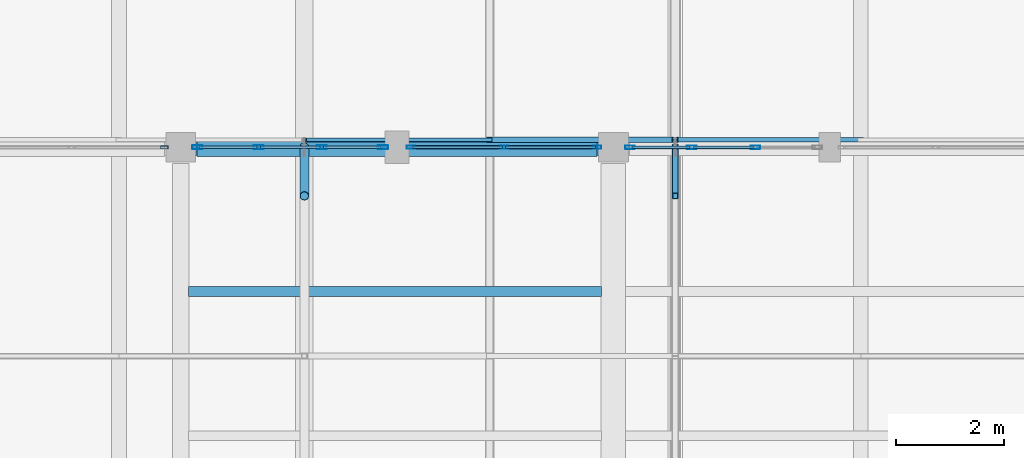
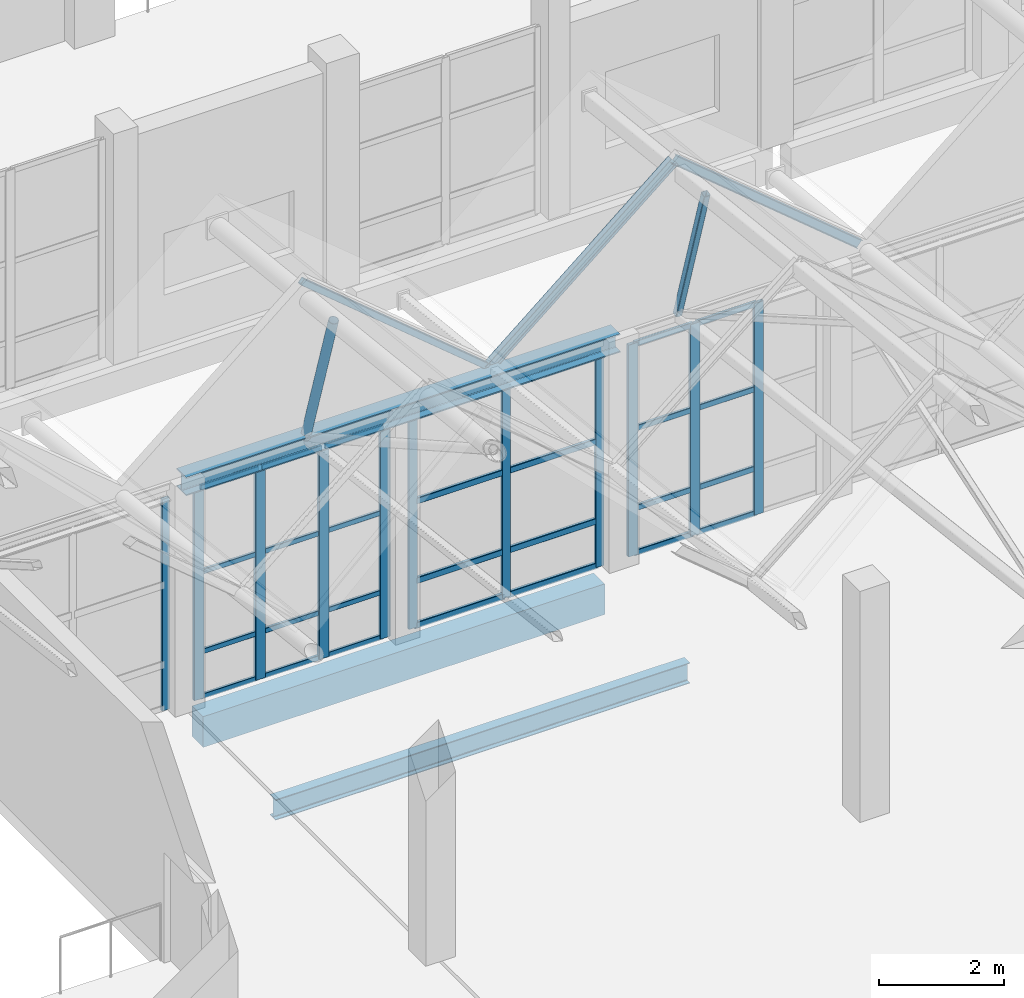
# One storey, part 78 of 183: 44 members, 3 beams, 4 elements without a shape of their own.
"""IFC4 building model written with IfcOpenShell, lengths in metres."""

from ifc_helpers import new_model, si_unit, direction, frame, origin, origin_2d, place, context, subcontext, project, spatial, rectangle, hollow_rectangle, hollow_circle, i_section, extrude, material, material_profile, profile_set, type_object, element, aggregate, save


model = new_model("IFC4")

# Units and contexts
model_context = context("Model", 3, precision=1e-05, world=origin(), true_north=direction((0.0, 1.0)))
body_context = subcontext(model_context, "Body", "Model", "MODEL_VIEW")
ifc_project = project(units=[si_unit("LENGTHUNIT", "METRE"), si_unit("AREAUNIT", "SQUARE_METRE"), si_unit("VOLUMEUNIT", "CUBIC_METRE"), si_unit("PLANEANGLEUNIT", "RADIAN"), si_unit("MASSUNIT", "GRAM", prefix="KILO")], contexts=[model_context])

# Site, building, storey
site_placement = place(None, origin())
site = spatial("IfcSite", under=ifc_project, at=site_placement, CompositionType="ELEMENT")
building_placement = place(site_placement, origin())
building = spatial("IfcBuilding", under=site, at=building_placement, Name="Luwemba Playhouse", CompositionType="ELEMENT")
storey_placement = place(building_placement, frame((0.0, 0.0, 4.800048828125)))
storey = spatial("IfcBuildingStorey", under=building, at=storey_placement, Name="L01", CompositionType="ELEMENT", Elevation=4.800048828125)

# Beams
ifc_material_1 = material(Name="Steel S355", Category="steel")
ifc_material_profile_1 = material_profile(ifc_material_1, i_section(OverallWidth=0.300048828125, OverallDepth=0.360107421875, WebThickness=0.012451171875, FlangeThickness=0.0224609375, FilletRadius=0.027099609375, at=origin_2d()))
ifc_profile_set_1 = profile_set([ifc_material_profile_1], Name="Steel S355")
beam_type_1 = type_object("IfcBeamType", Name="BM-SB09", PredefinedType="BEAM", material=ifc_profile_set_1)
beam_1_placement = place(storey_placement, frame((132.0, 27.0, 4.320068359375), z_axis=(1.0, 0.0, 0.0), x_axis=(0.0, 1.0, 0.0)))
element("IfcBeam", 1, at=beam_1_placement, inside=storey, type_object=beam_type_1, Name="RF-V5E eave ring beam 0298", PredefinedType="BEAM", context=body_context, shape_type="SweptSolid", body=[
    extrude(i_section(OverallWidth=0.300048828125, OverallDepth=0.360107421875, WebThickness=0.012451171875, FlangeThickness=0.0224609375, FilletRadius=0.027099609375, at=origin_2d()), origin(), (0.0, 0.0, 1.0), 8.0),
])
ifc_material_profile_2 = material_profile(ifc_material_1, i_section(OverallWidth=0.179931640625, OverallDepth=0.39990234375, WebThickness=0.008544921875, FlangeThickness=0.013427734375, FilletRadius=0.02099609375, at=origin_2d()))
ifc_profile_set_2 = profile_set([ifc_material_profile_2], Name="Steel S355")
beam_type_2 = type_object("IfcBeamType", Name="BM-SJ08", PredefinedType="JOIST", material=ifc_profile_set_2)
beam_2_placement = place(storey_placement, frame((132.14599609375, 24.333251953125, -0.449951171875), z_axis=(1.0, 0.0, 0.0), x_axis=(0.0, 1.0, 0.0)))
element("IfcBeam", 2, at=beam_2_placement, inside=storey, type_object=beam_type_2, Name="L01 composite floor joist 0315", PredefinedType="JOIST", context=body_context, shape_type="SweptSolid", body=[
    extrude(i_section(OverallWidth=0.179931640625, OverallDepth=0.39990234375, WebThickness=0.008544921875, FlangeThickness=0.013427734375, FilletRadius=0.02099609375, at=origin_2d()), origin(), (0.0, 0.0, 1.0), 7.633056640625),
])
ifc_material_2 = material(Name="Concrete C40/50", Category="concrete")
ifc_material_profile_3 = material_profile(ifc_material_2, rectangle(XDim=0.35009765625, YDim=0.60009765625, at=origin_2d()))
ifc_profile_set_3 = profile_set([ifc_material_profile_3], Name="Concrete C40/50")
beam_type_3 = type_object("IfcBeamType", Name="BM-SP3", PredefinedType="SPANDREL", material=ifc_profile_set_3)
beam_3_placement = place(storey_placement, frame((132.300048828125, 27.0, -0.550048828125), z_axis=(1.0, 0.0, 0.0), x_axis=(0.0, 1.0, 0.0)))
element("IfcBeam", 3, at=beam_3_placement, inside=storey, type_object=beam_type_3, Name="L01 grid girder 0538", PredefinedType="SPANDREL", context=body_context, shape_type="SweptSolid", body=[
    extrude(rectangle(XDim=0.35009765625, YDim=0.60009765625, at=origin_2d()), origin(), (0.0, 0.0, 1.0), 7.39990234375),
])

# Curtain wall, members
ifc_material_3 = material(Name="Solar-control double glazing", Category="glass")
curtain_wall_type_1 = type_object("IfcCurtainWallType", Name="CW-CW120", PredefinedType="USERDEFINED", material=ifc_material_3)
curtain_wall_1_placement = place(storey_placement, origin())
curtain_wall_1 = element("IfcCurtainWall", 4, at=curtain_wall_1_placement, inside=storey, type_object=curtain_wall_type_1, Name="L01 V5E unitised curtain wall 158", ObjectType="UNITISED GLAZING", PredefinedType="USERDEFINED")
ifc_material_4 = material(Name="Aluminium 6063-T6", Category="aluminium")
ifc_material_profile_4 = material_profile(ifc_material_4, hollow_rectangle(XDim=0.06005859375, YDim=0.159912109375, WallThickness=0.00390625, InnerFilletRadius=0.006103515625, OuterFilletRadius=0.010009765625, at=origin_2d()))
ifc_profile_set_4 = profile_set([ifc_material_profile_4], Name="Aluminium 6063-T6")
member_type_1 = type_object("IfcMemberType", Name="CWM-M1", PredefinedType="MULLION", material=ifc_profile_set_4)
member_1_placement = place(storey_placement, frame((136.2548828125, 27.0, 0.0), z_axis=(0.0, 0.0, 1.0), x_axis=(0.0, 1.0, 0.0)))
member_1 = element("IfcMember", 5, at=member_1_placement, type_object=member_type_1, Name="CW120 mullion 1", PredefinedType="MULLION", context=body_context, shape_type="SweptSolid", body=[
    extrude(hollow_rectangle(XDim=0.06005859375, YDim=0.159912109375, WallThickness=0.00390625, InnerFilletRadius=0.006103515625, OuterFilletRadius=0.010009765625, at=origin_2d()), origin(), (0.0, 0.0, 1.0), 4.125),
])
member_2_placement = place(storey_placement, frame((137.97509765625, 27.0, 0.0), z_axis=(0.0, 0.0, 1.0), x_axis=(0.0, 1.0, 0.0)))
member_2 = element("IfcMember", 6, at=member_2_placement, type_object=member_type_1, Name="CW120 mullion 2", PredefinedType="MULLION", context=body_context, shape_type="SweptSolid", body=[
    extrude(hollow_rectangle(XDim=0.06005859375, YDim=0.159912109375, WallThickness=0.00390625, InnerFilletRadius=0.006103515625, OuterFilletRadius=0.010009765625, at=origin_2d()), origin(), (0.0, 0.0, 1.0), 4.125),
])
member_3_placement = place(storey_placement, frame((139.695068359375, 27.0, 0.0), z_axis=(0.0, 0.0, 1.0), x_axis=(0.0, 1.0, 0.0)))
member_3 = element("IfcMember", 7, at=member_3_placement, type_object=member_type_1, Name="CW120 mullion 3", PredefinedType="MULLION", context=body_context, shape_type="SweptSolid", body=[
    extrude(hollow_rectangle(XDim=0.06005859375, YDim=0.159912109375, WallThickness=0.00390625, InnerFilletRadius=0.006103515625, OuterFilletRadius=0.010009765625, at=origin_2d()), origin(), (0.0, 0.0, 1.0), 4.125),
])

curtain_wall_type_2 = type_object("IfcCurtainWallType", Name="CW-CW121", PredefinedType="USERDEFINED", material=ifc_material_3)
curtain_wall_2_placement = place(storey_placement, origin())
curtain_wall_2 = element("IfcCurtainWall", 8, at=curtain_wall_2_placement, inside=storey, type_object=curtain_wall_type_2, Name="L01 V5E unitised curtain wall 159", ObjectType="UNITISED GLAZING", PredefinedType="USERDEFINED")
ifc_material_profile_5 = material_profile(ifc_material_4, hollow_rectangle(XDim=0.06494140625, YDim=0.179931640625, WallThickness=0.00439453125, InnerFilletRadius=0.0068359375, OuterFilletRadius=0.01123046875, at=origin_2d()))
ifc_profile_set_5 = profile_set([ifc_material_profile_5], Name="Aluminium 6063-T6")
member_type_2 = type_object("IfcMemberType", Name="CWM-M2", PredefinedType="MULLION", material=ifc_profile_set_5)
member_4_placement = place(storey_placement, frame((140.3076171875, 27.0, 0.0), z_axis=(0.0, 0.0, 1.0), x_axis=(0.0, 1.0, 0.0)))
member_4 = element("IfcMember", 9, at=member_4_placement, type_object=member_type_2, Name="CW121 mullion 1", PredefinedType="MULLION", context=body_context, shape_type="SweptSolid", body=[
    extrude(hollow_rectangle(XDim=0.06494140625, YDim=0.179931640625, WallThickness=0.00439453125, InnerFilletRadius=0.0068359375, OuterFilletRadius=0.01123046875, at=origin_2d()), origin(), (0.0, 0.0, 1.0), 4.125),
])
member_5_placement = place(storey_placement, frame((141.449951171875, 27.0, 0.0), z_axis=(0.0, 0.0, 1.0), x_axis=(0.0, 1.0, 0.0)))
member_5 = element("IfcMember", 10, at=member_5_placement, type_object=member_type_2, Name="CW121 mullion 2", PredefinedType="MULLION", context=body_context, shape_type="SweptSolid", body=[
    extrude(hollow_rectangle(XDim=0.06494140625, YDim=0.179931640625, WallThickness=0.00439453125, InnerFilletRadius=0.0068359375, OuterFilletRadius=0.01123046875, at=origin_2d()), origin(), (0.0, 0.0, 1.0), 4.125),
])
member_6_placement = place(storey_placement, frame((142.625, 27.0, 0.0), z_axis=(0.0, 0.0, 1.0), x_axis=(0.0, 1.0, 0.0)))
member_6 = element("IfcMember", 11, at=member_6_placement, type_object=member_type_2, Name="CW121 mullion 3", PredefinedType="MULLION", context=body_context, shape_type="SweptSolid", body=[
    extrude(hollow_rectangle(XDim=0.06494140625, YDim=0.179931640625, WallThickness=0.00439453125, InnerFilletRadius=0.0068359375, OuterFilletRadius=0.01123046875, at=origin_2d()), origin(), (0.0, 0.0, 1.0), 4.125),
])

# Curtain wall, member
curtain_wall_type_3 = type_object("IfcCurtainWallType", Name="CW-CW118", PredefinedType="USERDEFINED", material=ifc_material_3)
curtain_wall_3_placement = place(storey_placement, origin())
curtain_wall_3 = element("IfcCurtainWall", 12, at=curtain_wall_3_placement, inside=storey, type_object=curtain_wall_type_3, Name="L01 V5E unitised curtain wall 156", ObjectType="UNITISED GLAZING", PredefinedType="USERDEFINED")
ifc_material_profile_6 = material_profile(ifc_material_4, hollow_rectangle(XDim=0.054931640625, YDim=0.139892578125, WallThickness=0.00390625, InnerFilletRadius=0.006103515625, OuterFilletRadius=0.010009765625, at=origin_2d()))
ifc_profile_set_6 = profile_set([ifc_material_profile_6], Name="Aluminium 6063-T6")
member_type_3 = type_object("IfcMemberType", Name="CWM-M3", PredefinedType="MULLION", material=ifc_profile_set_6)
member_7_placement = place(storey_placement, frame((131.697509765625, 27.0, 0.0), z_axis=(0.0, 0.0, 1.0), x_axis=(0.0, 1.0, 0.0)))
member_7 = element("IfcMember", 13, at=member_7_placement, type_object=member_type_3, Name="CW118 mullion 3", PredefinedType="MULLION", context=body_context, shape_type="SweptSolid", body=[
    extrude(hollow_rectangle(XDim=0.054931640625, YDim=0.139892578125, WallThickness=0.00390625, InnerFilletRadius=0.006103515625, OuterFilletRadius=0.010009765625, at=origin_2d()), origin(), (0.0, 0.0, 1.0), 4.125),
])
aggregate(curtain_wall_3, [member_7])

# Curtain wall, members
curtain_wall_type_4 = type_object("IfcCurtainWallType", Name="CW-CW119", PredefinedType="USERDEFINED", material=ifc_material_3)
curtain_wall_4_placement = place(storey_placement, origin())
curtain_wall_4 = element("IfcCurtainWall", 14, at=curtain_wall_4_placement, inside=storey, type_object=curtain_wall_type_4, Name="L01 V5E unitised curtain wall 157", ObjectType="UNITISED GLAZING", PredefinedType="USERDEFINED")
ifc_material_profile_7 = material_profile(ifc_material_4, hollow_rectangle(XDim=0.070068359375, YDim=0.18994140625, WallThickness=0.0048828125, InnerFilletRadius=0.007568359375, OuterFilletRadius=0.012451171875, at=origin_2d()))
ifc_profile_set_7 = profile_set([ifc_material_profile_7], Name="Aluminium 6063-T6")
member_type_4 = type_object("IfcMemberType", Name="CWM-M4", PredefinedType="MULLION", material=ifc_profile_set_7)
member_8_placement = place(storey_placement, frame((132.31005859375, 27.0, 0.0), z_axis=(0.0, 0.0, 1.0), x_axis=(0.0, 1.0, 0.0)))
member_8 = element("IfcMember", 15, at=member_8_placement, type_object=member_type_4, Name="CW119 mullion 1", PredefinedType="MULLION", context=body_context, shape_type="SweptSolid", body=[
    extrude(hollow_rectangle(XDim=0.070068359375, YDim=0.18994140625, WallThickness=0.0048828125, InnerFilletRadius=0.007568359375, OuterFilletRadius=0.012451171875, at=origin_2d()), origin(), (0.0, 0.0, 1.0), 4.125),
])
member_9_placement = place(storey_placement, frame((133.441650390625, 27.0, 0.0), z_axis=(0.0, 0.0, 1.0), x_axis=(0.0, 1.0, 0.0)))
member_9 = element("IfcMember", 16, at=member_9_placement, type_object=member_type_4, Name="CW119 mullion 2", PredefinedType="MULLION", context=body_context, shape_type="SweptSolid", body=[
    extrude(hollow_rectangle(XDim=0.070068359375, YDim=0.18994140625, WallThickness=0.0048828125, InnerFilletRadius=0.007568359375, OuterFilletRadius=0.012451171875, at=origin_2d()), origin(), (0.0, 0.0, 1.0), 4.125),
])
member_10_placement = place(storey_placement, frame((134.6083984375, 27.0, 0.0), z_axis=(0.0, 0.0, 1.0), x_axis=(0.0, 1.0, 0.0)))
member_10 = element("IfcMember", 17, at=member_10_placement, type_object=member_type_4, Name="CW119 mullion 3", PredefinedType="MULLION", context=body_context, shape_type="SweptSolid", body=[
    extrude(hollow_rectangle(XDim=0.070068359375, YDim=0.18994140625, WallThickness=0.0048828125, InnerFilletRadius=0.007568359375, OuterFilletRadius=0.012451171875, at=origin_2d()), origin(), (0.0, 0.0, 1.0), 4.125),
])
member_11_placement = place(storey_placement, frame((135.739990234375, 27.0, 0.0), z_axis=(0.0, 0.0, 1.0), x_axis=(0.0, 1.0, 0.0)))
member_11 = element("IfcMember", 18, at=member_11_placement, type_object=member_type_4, Name="CW119 mullion 4", PredefinedType="MULLION", context=body_context, shape_type="SweptSolid", body=[
    extrude(hollow_rectangle(XDim=0.070068359375, YDim=0.18994140625, WallThickness=0.0048828125, InnerFilletRadius=0.007568359375, OuterFilletRadius=0.012451171875, at=origin_2d()), origin(), (0.0, 0.0, 1.0), 4.125),
])

# Member
ifc_material_profile_8 = material_profile(ifc_material_4, hollow_rectangle(XDim=0.06005859375, YDim=0.1201171875, WallThickness=0.00390625, InnerFilletRadius=0.006103515625, OuterFilletRadius=0.010009765625, at=origin_2d()))
ifc_profile_set_8 = profile_set([ifc_material_profile_8], Name="Aluminium 6063-T6")
member_type_5 = type_object("IfcMemberType", Name="CWT-T1", PredefinedType="USERDEFINED", material=ifc_profile_set_8)
member_12_placement = place(storey_placement, frame((136.284912109375, 27.0, 0.030029296875), z_axis=(1.0, 0.0, 0.0), x_axis=(0.0, 1.0, 0.0)))
member_12 = element("IfcMember", 19, at=member_12_placement, type_object=member_type_5, Name="CW120 transom 1.1", ObjectType="TRANSOM", PredefinedType="USERDEFINED", context=body_context, shape_type="SweptSolid", body=[
    extrude(hollow_rectangle(XDim=0.06005859375, YDim=0.1201171875, WallThickness=0.00390625, InnerFilletRadius=0.006103515625, OuterFilletRadius=0.010009765625, at=origin_2d()), origin(), (0.0, 0.0, 1.0), 1.66015625),
])

member_13_placement = place(storey_placement, frame((136.284912109375, 27.0, 0.89990234375), z_axis=(1.0, 0.0, 0.0), x_axis=(0.0, 1.0, 0.0)))
member_13 = element("IfcMember", 20, at=member_13_placement, type_object=member_type_5, Name="CW120 transom 1.2", ObjectType="TRANSOM", PredefinedType="USERDEFINED", context=body_context, shape_type="SweptSolid", body=[
    extrude(hollow_rectangle(XDim=0.06005859375, YDim=0.1201171875, WallThickness=0.00390625, InnerFilletRadius=0.006103515625, OuterFilletRadius=0.010009765625, at=origin_2d()), origin(), (0.0, 0.0, 1.0), 1.66015625),
])

member_14_placement = place(storey_placement, frame((136.284912109375, 27.0, 2.449951171875), z_axis=(1.0, 0.0, 0.0), x_axis=(0.0, 1.0, 0.0)))
member_14 = element("IfcMember", 21, at=member_14_placement, type_object=member_type_5, Name="CW120 transom 1.3", ObjectType="TRANSOM", PredefinedType="USERDEFINED", context=body_context, shape_type="SweptSolid", body=[
    extrude(hollow_rectangle(XDim=0.06005859375, YDim=0.1201171875, WallThickness=0.00390625, InnerFilletRadius=0.006103515625, OuterFilletRadius=0.010009765625, at=origin_2d()), origin(), (0.0, 0.0, 1.0), 1.66015625),
])

member_15_placement = place(storey_placement, frame((136.284912109375, 27.0, 4.094970703125), z_axis=(1.0, 0.0, 0.0), x_axis=(0.0, 1.0, 0.0)))
member_15 = element("IfcMember", 22, at=member_15_placement, type_object=member_type_5, Name="CW120 transom 1.4", ObjectType="TRANSOM", PredefinedType="USERDEFINED", context=body_context, shape_type="SweptSolid", body=[
    extrude(hollow_rectangle(XDim=0.06005859375, YDim=0.1201171875, WallThickness=0.00390625, InnerFilletRadius=0.006103515625, OuterFilletRadius=0.010009765625, at=origin_2d()), origin(), (0.0, 0.0, 1.0), 1.66015625),
])

member_16_placement = place(storey_placement, frame((138.0048828125, 27.0, 0.030029296875), z_axis=(1.0, 0.0, 0.0), x_axis=(0.0, 1.0, 0.0)))
member_16 = element("IfcMember", 23, at=member_16_placement, type_object=member_type_5, Name="CW120 transom 2.1", ObjectType="TRANSOM", PredefinedType="USERDEFINED", context=body_context, shape_type="SweptSolid", body=[
    extrude(hollow_rectangle(XDim=0.06005859375, YDim=0.1201171875, WallThickness=0.00390625, InnerFilletRadius=0.006103515625, OuterFilletRadius=0.010009765625, at=origin_2d()), origin(), (0.0, 0.0, 1.0), 1.66015625),
])

member_17_placement = place(storey_placement, frame((138.0048828125, 27.0, 0.89990234375), z_axis=(1.0, 0.0, 0.0), x_axis=(0.0, 1.0, 0.0)))
member_17 = element("IfcMember", 24, at=member_17_placement, type_object=member_type_5, Name="CW120 transom 2.2", ObjectType="TRANSOM", PredefinedType="USERDEFINED", context=body_context, shape_type="SweptSolid", body=[
    extrude(hollow_rectangle(XDim=0.06005859375, YDim=0.1201171875, WallThickness=0.00390625, InnerFilletRadius=0.006103515625, OuterFilletRadius=0.010009765625, at=origin_2d()), origin(), (0.0, 0.0, 1.0), 1.66015625),
])

member_18_placement = place(storey_placement, frame((138.0048828125, 27.0, 2.449951171875), z_axis=(1.0, 0.0, 0.0), x_axis=(0.0, 1.0, 0.0)))
member_18 = element("IfcMember", 25, at=member_18_placement, type_object=member_type_5, Name="CW120 transom 2.3", ObjectType="TRANSOM", PredefinedType="USERDEFINED", context=body_context, shape_type="SweptSolid", body=[
    extrude(hollow_rectangle(XDim=0.06005859375, YDim=0.1201171875, WallThickness=0.00390625, InnerFilletRadius=0.006103515625, OuterFilletRadius=0.010009765625, at=origin_2d()), origin(), (0.0, 0.0, 1.0), 1.66015625),
])

member_19_placement = place(storey_placement, frame((138.0048828125, 27.0, 4.094970703125), z_axis=(1.0, 0.0, 0.0), x_axis=(0.0, 1.0, 0.0)))
member_19 = element("IfcMember", 26, at=member_19_placement, type_object=member_type_5, Name="CW120 transom 2.4", ObjectType="TRANSOM", PredefinedType="USERDEFINED", context=body_context, shape_type="SweptSolid", body=[
    extrude(hollow_rectangle(XDim=0.06005859375, YDim=0.1201171875, WallThickness=0.00390625, InnerFilletRadius=0.006103515625, OuterFilletRadius=0.010009765625, at=origin_2d()), origin(), (0.0, 0.0, 1.0), 1.66015625),
])

aggregate(curtain_wall_1, [member_1, member_2, member_3, member_12, member_13, member_14, member_15, member_16, member_17, member_18, member_19])

ifc_material_profile_9 = material_profile(ifc_material_4, hollow_rectangle(XDim=0.054931640625, YDim=0.110107421875, WallThickness=0.00341796875, InnerFilletRadius=0.00537109375, OuterFilletRadius=0.0087890625, at=origin_2d()))
ifc_profile_set_9 = profile_set([ifc_material_profile_9], Name="Aluminium 6063-T6")
member_type_6 = type_object("IfcMemberType", Name="CWT-T2", PredefinedType="USERDEFINED", material=ifc_profile_set_9)
member_20_placement = place(storey_placement, frame((140.340087890625, 27.0, 0.02734375), z_axis=(1.0, 0.0, 0.0), x_axis=(0.0, 1.0, 0.0)))
member_20 = element("IfcMember", 27, at=member_20_placement, type_object=member_type_6, Name="CW121 transom 1.1", ObjectType="TRANSOM", PredefinedType="USERDEFINED", context=body_context, shape_type="SweptSolid", body=[
    extrude(hollow_rectangle(XDim=0.054931640625, YDim=0.110107421875, WallThickness=0.00341796875, InnerFilletRadius=0.00537109375, OuterFilletRadius=0.0087890625, at=origin_2d()), origin(), (0.0, 0.0, 1.0), 1.077392578125),
])

member_21_placement = place(storey_placement, frame((140.340087890625, 27.0, 0.89990234375), z_axis=(1.0, 0.0, 0.0), x_axis=(0.0, 1.0, 0.0)))
member_21 = element("IfcMember", 28, at=member_21_placement, type_object=member_type_6, Name="CW121 transom 1.2", ObjectType="TRANSOM", PredefinedType="USERDEFINED", context=body_context, shape_type="SweptSolid", body=[
    extrude(hollow_rectangle(XDim=0.054931640625, YDim=0.110107421875, WallThickness=0.00341796875, InnerFilletRadius=0.00537109375, OuterFilletRadius=0.0087890625, at=origin_2d()), origin(), (0.0, 0.0, 1.0), 1.077392578125),
])

member_22_placement = place(storey_placement, frame((140.340087890625, 27.0, 2.449951171875), z_axis=(1.0, 0.0, 0.0), x_axis=(0.0, 1.0, 0.0)))
member_22 = element("IfcMember", 29, at=member_22_placement, type_object=member_type_6, Name="CW121 transom 1.3", ObjectType="TRANSOM", PredefinedType="USERDEFINED", context=body_context, shape_type="SweptSolid", body=[
    extrude(hollow_rectangle(XDim=0.054931640625, YDim=0.110107421875, WallThickness=0.00341796875, InnerFilletRadius=0.00537109375, OuterFilletRadius=0.0087890625, at=origin_2d()), origin(), (0.0, 0.0, 1.0), 1.077392578125),
])

member_23_placement = place(storey_placement, frame((140.340087890625, 27.0, 4.097412109375), z_axis=(1.0, 0.0, 0.0), x_axis=(0.0, 1.0, 0.0)))
member_23 = element("IfcMember", 30, at=member_23_placement, type_object=member_type_6, Name="CW121 transom 1.4", ObjectType="TRANSOM", PredefinedType="USERDEFINED", context=body_context, shape_type="SweptSolid", body=[
    extrude(hollow_rectangle(XDim=0.054931640625, YDim=0.110107421875, WallThickness=0.00341796875, InnerFilletRadius=0.00537109375, OuterFilletRadius=0.0087890625, at=origin_2d()), origin(), (0.0, 0.0, 1.0), 1.077392578125),
])

member_24_placement = place(storey_placement, frame((141.482421875, 27.0, 0.02734375), z_axis=(1.0, 0.0, 0.0), x_axis=(0.0, 1.0, 0.0)))
member_24 = element("IfcMember", 31, at=member_24_placement, type_object=member_type_6, Name="CW121 transom 2.1", ObjectType="TRANSOM", PredefinedType="USERDEFINED", context=body_context, shape_type="SweptSolid", body=[
    extrude(hollow_rectangle(XDim=0.054931640625, YDim=0.110107421875, WallThickness=0.00341796875, InnerFilletRadius=0.00537109375, OuterFilletRadius=0.0087890625, at=origin_2d()), origin(), (0.0, 0.0, 1.0), 1.110107421875),
])

member_25_placement = place(storey_placement, frame((141.482421875, 27.0, 0.89990234375), z_axis=(1.0, 0.0, 0.0), x_axis=(0.0, 1.0, 0.0)))
member_25 = element("IfcMember", 32, at=member_25_placement, type_object=member_type_6, Name="CW121 transom 2.2", ObjectType="TRANSOM", PredefinedType="USERDEFINED", context=body_context, shape_type="SweptSolid", body=[
    extrude(hollow_rectangle(XDim=0.054931640625, YDim=0.110107421875, WallThickness=0.00341796875, InnerFilletRadius=0.00537109375, OuterFilletRadius=0.0087890625, at=origin_2d()), origin(), (0.0, 0.0, 1.0), 1.110107421875),
])

member_26_placement = place(storey_placement, frame((141.482421875, 27.0, 2.449951171875), z_axis=(1.0, 0.0, 0.0), x_axis=(0.0, 1.0, 0.0)))
member_26 = element("IfcMember", 33, at=member_26_placement, type_object=member_type_6, Name="CW121 transom 2.3", ObjectType="TRANSOM", PredefinedType="USERDEFINED", context=body_context, shape_type="SweptSolid", body=[
    extrude(hollow_rectangle(XDim=0.054931640625, YDim=0.110107421875, WallThickness=0.00341796875, InnerFilletRadius=0.00537109375, OuterFilletRadius=0.0087890625, at=origin_2d()), origin(), (0.0, 0.0, 1.0), 1.110107421875),
])

member_27_placement = place(storey_placement, frame((141.482421875, 27.0, 4.097412109375), z_axis=(1.0, 0.0, 0.0), x_axis=(0.0, 1.0, 0.0)))
member_27 = element("IfcMember", 34, at=member_27_placement, type_object=member_type_6, Name="CW121 transom 2.4", ObjectType="TRANSOM", PredefinedType="USERDEFINED", context=body_context, shape_type="SweptSolid", body=[
    extrude(hollow_rectangle(XDim=0.054931640625, YDim=0.110107421875, WallThickness=0.00341796875, InnerFilletRadius=0.00537109375, OuterFilletRadius=0.0087890625, at=origin_2d()), origin(), (0.0, 0.0, 1.0), 1.110107421875),
])

aggregate(curtain_wall_2, [member_4, member_5, member_6, member_20, member_21, member_22, member_23, member_24, member_25, member_26, member_27])

ifc_material_profile_10 = material_profile(ifc_material_4, hollow_rectangle(XDim=0.050048828125, YDim=0.10009765625, WallThickness=0.00341796875, InnerFilletRadius=0.00537109375, OuterFilletRadius=0.0087890625, at=origin_2d()))
ifc_profile_set_10 = profile_set([ifc_material_profile_10], Name="Aluminium 6063-T6")
member_type_7 = type_object("IfcMemberType", Name="CWT-T4", PredefinedType="USERDEFINED", material=ifc_profile_set_10)
member_28_placement = place(storey_placement, frame((132.344970703125, 27.0, 0.02490234375), z_axis=(1.0, 0.0, 0.0), x_axis=(0.0, 1.0, 0.0)))
member_28 = element("IfcMember", 35, at=member_28_placement, type_object=member_type_7, Name="CW119 transom 1.1", ObjectType="TRANSOM", PredefinedType="USERDEFINED", context=body_context, shape_type="SweptSolid", body=[
    extrude(hollow_rectangle(XDim=0.050048828125, YDim=0.10009765625, WallThickness=0.00341796875, InnerFilletRadius=0.00537109375, OuterFilletRadius=0.0087890625, at=origin_2d()), origin(), (0.0, 0.0, 1.0), 1.061767578125),
])

member_29_placement = place(storey_placement, frame((132.344970703125, 27.0, 0.89990234375), z_axis=(1.0, 0.0, 0.0), x_axis=(0.0, 1.0, 0.0)))
member_29 = element("IfcMember", 36, at=member_29_placement, type_object=member_type_7, Name="CW119 transom 1.2", ObjectType="TRANSOM", PredefinedType="USERDEFINED", context=body_context, shape_type="SweptSolid", body=[
    extrude(hollow_rectangle(XDim=0.050048828125, YDim=0.10009765625, WallThickness=0.00341796875, InnerFilletRadius=0.00537109375, OuterFilletRadius=0.0087890625, at=origin_2d()), origin(), (0.0, 0.0, 1.0), 1.061767578125),
])

member_30_placement = place(storey_placement, frame((132.344970703125, 27.0, 2.449951171875), z_axis=(1.0, 0.0, 0.0), x_axis=(0.0, 1.0, 0.0)))
member_30 = element("IfcMember", 37, at=member_30_placement, type_object=member_type_7, Name="CW119 transom 1.3", ObjectType="TRANSOM", PredefinedType="USERDEFINED", context=body_context, shape_type="SweptSolid", body=[
    extrude(hollow_rectangle(XDim=0.050048828125, YDim=0.10009765625, WallThickness=0.00341796875, InnerFilletRadius=0.00537109375, OuterFilletRadius=0.0087890625, at=origin_2d()), origin(), (0.0, 0.0, 1.0), 1.061767578125),
])

member_31_placement = place(storey_placement, frame((132.344970703125, 27.0, 4.099853515625), z_axis=(1.0, 0.0, 0.0), x_axis=(0.0, 1.0, 0.0)))
member_31 = element("IfcMember", 38, at=member_31_placement, type_object=member_type_7, Name="CW119 transom 1.4", ObjectType="TRANSOM", PredefinedType="USERDEFINED", context=body_context, shape_type="SweptSolid", body=[
    extrude(hollow_rectangle(XDim=0.050048828125, YDim=0.10009765625, WallThickness=0.00341796875, InnerFilletRadius=0.00537109375, OuterFilletRadius=0.0087890625, at=origin_2d()), origin(), (0.0, 0.0, 1.0), 1.061767578125),
])

member_32_placement = place(storey_placement, frame((133.4765625, 27.0, 0.02490234375), z_axis=(1.0, 0.0, 0.0), x_axis=(0.0, 1.0, 0.0)))
member_32 = element("IfcMember", 39, at=member_32_placement, type_object=member_type_7, Name="CW119 transom 2.1", ObjectType="TRANSOM", PredefinedType="USERDEFINED", context=body_context, shape_type="SweptSolid", body=[
    extrude(hollow_rectangle(XDim=0.050048828125, YDim=0.10009765625, WallThickness=0.00341796875, InnerFilletRadius=0.00537109375, OuterFilletRadius=0.0087890625, at=origin_2d()), origin(), (0.0, 0.0, 1.0), 1.0966796875),
])

member_33_placement = place(storey_placement, frame((133.4765625, 27.0, 0.89990234375), z_axis=(1.0, 0.0, 0.0), x_axis=(0.0, 1.0, 0.0)))
member_33 = element("IfcMember", 40, at=member_33_placement, type_object=member_type_7, Name="CW119 transom 2.2", ObjectType="TRANSOM", PredefinedType="USERDEFINED", context=body_context, shape_type="SweptSolid", body=[
    extrude(hollow_rectangle(XDim=0.050048828125, YDim=0.10009765625, WallThickness=0.00341796875, InnerFilletRadius=0.00537109375, OuterFilletRadius=0.0087890625, at=origin_2d()), origin(), (0.0, 0.0, 1.0), 1.0966796875),
])

member_34_placement = place(storey_placement, frame((133.4765625, 27.0, 2.449951171875), z_axis=(1.0, 0.0, 0.0), x_axis=(0.0, 1.0, 0.0)))
member_34 = element("IfcMember", 41, at=member_34_placement, type_object=member_type_7, Name="CW119 transom 2.3", ObjectType="TRANSOM", PredefinedType="USERDEFINED", context=body_context, shape_type="SweptSolid", body=[
    extrude(hollow_rectangle(XDim=0.050048828125, YDim=0.10009765625, WallThickness=0.00341796875, InnerFilletRadius=0.00537109375, OuterFilletRadius=0.0087890625, at=origin_2d()), origin(), (0.0, 0.0, 1.0), 1.0966796875),
])

member_35_placement = place(storey_placement, frame((133.4765625, 27.0, 4.099853515625), z_axis=(1.0, 0.0, 0.0), x_axis=(0.0, 1.0, 0.0)))
member_35 = element("IfcMember", 42, at=member_35_placement, type_object=member_type_7, Name="CW119 transom 2.4", ObjectType="TRANSOM", PredefinedType="USERDEFINED", context=body_context, shape_type="SweptSolid", body=[
    extrude(hollow_rectangle(XDim=0.050048828125, YDim=0.10009765625, WallThickness=0.00341796875, InnerFilletRadius=0.00537109375, OuterFilletRadius=0.0087890625, at=origin_2d()), origin(), (0.0, 0.0, 1.0), 1.0966796875),
])

member_36_placement = place(storey_placement, frame((134.643310546875, 27.0, 0.02490234375), z_axis=(1.0, 0.0, 0.0), x_axis=(0.0, 1.0, 0.0)))
member_36 = element("IfcMember", 43, at=member_36_placement, type_object=member_type_7, Name="CW119 transom 3.1", ObjectType="TRANSOM", PredefinedType="USERDEFINED", context=body_context, shape_type="SweptSolid", body=[
    extrude(hollow_rectangle(XDim=0.050048828125, YDim=0.10009765625, WallThickness=0.00341796875, InnerFilletRadius=0.00537109375, OuterFilletRadius=0.0087890625, at=origin_2d()), origin(), (0.0, 0.0, 1.0), 1.061767578125),
])

member_37_placement = place(storey_placement, frame((134.643310546875, 27.0, 0.89990234375), z_axis=(1.0, 0.0, 0.0), x_axis=(0.0, 1.0, 0.0)))
member_37 = element("IfcMember", 44, at=member_37_placement, type_object=member_type_7, Name="CW119 transom 3.2", ObjectType="TRANSOM", PredefinedType="USERDEFINED", context=body_context, shape_type="SweptSolid", body=[
    extrude(hollow_rectangle(XDim=0.050048828125, YDim=0.10009765625, WallThickness=0.00341796875, InnerFilletRadius=0.00537109375, OuterFilletRadius=0.0087890625, at=origin_2d()), origin(), (0.0, 0.0, 1.0), 1.061767578125),
])

member_38_placement = place(storey_placement, frame((134.643310546875, 27.0, 2.449951171875), z_axis=(1.0, 0.0, 0.0), x_axis=(0.0, 1.0, 0.0)))
member_38 = element("IfcMember", 45, at=member_38_placement, type_object=member_type_7, Name="CW119 transom 3.3", ObjectType="TRANSOM", PredefinedType="USERDEFINED", context=body_context, shape_type="SweptSolid", body=[
    extrude(hollow_rectangle(XDim=0.050048828125, YDim=0.10009765625, WallThickness=0.00341796875, InnerFilletRadius=0.00537109375, OuterFilletRadius=0.0087890625, at=origin_2d()), origin(), (0.0, 0.0, 1.0), 1.061767578125),
])

member_39_placement = place(storey_placement, frame((134.643310546875, 27.0, 4.099853515625), z_axis=(1.0, 0.0, 0.0), x_axis=(0.0, 1.0, 0.0)))
member_39 = element("IfcMember", 46, at=member_39_placement, type_object=member_type_7, Name="CW119 transom 3.4", ObjectType="TRANSOM", PredefinedType="USERDEFINED", context=body_context, shape_type="SweptSolid", body=[
    extrude(hollow_rectangle(XDim=0.050048828125, YDim=0.10009765625, WallThickness=0.00341796875, InnerFilletRadius=0.00537109375, OuterFilletRadius=0.0087890625, at=origin_2d()), origin(), (0.0, 0.0, 1.0), 1.061767578125),
])

aggregate(curtain_wall_4, [member_8, member_9, member_10, member_11, member_28, member_29, member_30, member_31, member_32, member_33, member_34, member_35, member_36, member_37, member_38, member_39])

# Members
ifc_material_profile_11 = material_profile(ifc_material_1, hollow_circle(Radius=0.084228515625, WallThickness=0.008056640625, at=origin_2d()))
ifc_profile_set_11 = profile_set([ifc_material_profile_11], Name="Steel S355")
member_type_8 = type_object("IfcMemberType", Name="MEM-MB02", PredefinedType="BRACE", material=ifc_profile_set_11)
member_40_placement = place(storey_placement, frame((134.28564453125, 27.0, 4.39990234375), z_axis=(0.0, -0.303860291907, 0.95271660162), x_axis=(1.0, 0.0, 0.0)))
element("IfcMember", 47, at=member_40_placement, inside=storey, type_object=member_type_8, Name="ROOF TRUSS eave knee strut 0075", PredefinedType="BRACE", context=body_context, shape_type="SweptSolid", body=[
    extrude(hollow_circle(Radius=0.084228515625, WallThickness=0.008056640625, at=origin_2d()), origin(), (0.0, 0.0, 1.0), 2.961669921875),
])
ifc_material_profile_12 = material_profile(ifc_material_1, hollow_rectangle(XDim=0.1201171875, YDim=0.1201171875, WallThickness=0.008056640625, InnerFilletRadius=0.011962890625, OuterFilletRadius=0.02001953125, at=origin_2d()))
ifc_profile_set_12 = profile_set([ifc_material_profile_12], Name="Steel S355")
member_type_9 = type_object("IfcMemberType", Name="MEM-MB06", PredefinedType="BRACE", material=ifc_profile_set_12)
member_41_placement = place(storey_placement, frame((141.142822265625, 27.0, 4.39990234375), z_axis=(0.0, -0.297773567403, 0.954636529029), x_axis=(1.0, 0.0, 0.0)))
element("IfcMember", 48, at=member_41_placement, inside=storey, type_object=member_type_9, Name="ROOF TRUSS eave knee strut 0077", PredefinedType="BRACE", context=body_context, shape_type="SweptSolid", body=[
    extrude(hollow_rectangle(XDim=0.1201171875, YDim=0.1201171875, WallThickness=0.008056640625, InnerFilletRadius=0.011962890625, OuterFilletRadius=0.02001953125, at=origin_2d()), origin(), (0.0, 0.0, 1.0), 3.022216796875),
])
ifc_material_profile_13 = material_profile(ifc_material_1, hollow_rectangle(XDim=0.080078125, YDim=0.1201171875, WallThickness=0.00634765625, InnerFilletRadius=0.009521484375, OuterFilletRadius=0.015869140625, at=origin_2d()))
ifc_profile_set_13 = profile_set([ifc_material_profile_13], Name="Steel S355")
member_type_10 = type_object("IfcMemberType", Name="MEM-MP01", PredefinedType="PURLIN", material=ifc_profile_set_13)
member_42_placement = place(storey_placement, frame((134.28564453125, 27.135986328125, 7.357177734375), z_axis=(0.768364765209, 0.0, -0.640012177685), x_axis=(0.0, 1.0, 0.0)))
element("IfcMember", 49, at=member_42_placement, inside=storey, type_object=member_type_10, Name="Pleated roof purlin 0552", PredefinedType="PURLIN", context=body_context, shape_type="SweptSolid", body=[
    extrude(hollow_rectangle(XDim=0.080078125, YDim=0.1201171875, WallThickness=0.00634765625, InnerFilletRadius=0.009521484375, OuterFilletRadius=0.015869140625, at=origin_2d()), origin(), (0.0, 0.0, 1.0), 4.46240234375),
])
ifc_material_profile_14 = material_profile(ifc_material_1, i_section(OverallWidth=0.08203125, OverallDepth=0.159912109375, WebThickness=0.0048828125, FlangeThickness=0.00732421875, FilletRadius=0.009033203125, at=origin_2d()))
ifc_profile_set_14 = profile_set([ifc_material_profile_14], Name="Steel S355")
member_type_11 = type_object("IfcMemberType", Name="MEM-MP05", PredefinedType="PURLIN", material=ifc_profile_set_14)
member_43_placement = place(storey_placement, frame((141.142822265625, 27.135986328125, 7.33642578125), z_axis=(0.768342353216, 0.0, -0.640039083381), x_axis=(0.0, 1.0, 0.0)))
element("IfcMember", 50, at=member_43_placement, inside=storey, type_object=member_type_11, Name="Pleated roof purlin 0564", PredefinedType="PURLIN", context=body_context, shape_type="SweptSolid", body=[
    extrude(i_section(OverallWidth=0.08203125, OverallDepth=0.159912109375, WebThickness=0.0048828125, FlangeThickness=0.00732421875, FilletRadius=0.009033203125, at=origin_2d()), origin(), (0.0, 0.0, 1.0), 4.462158203125),
])
ifc_material_profile_15 = material_profile(ifc_material_1, i_section(OverallWidth=0.10009765625, OverallDepth=0.199951171875, WebThickness=0.005615234375, FlangeThickness=0.008544921875, FilletRadius=0.011962890625, at=origin_2d()))
ifc_profile_set_15 = profile_set([ifc_material_profile_15], Name="Steel S355")
member_type_12 = type_object("IfcMemberType", Name="MEM-MP07", PredefinedType="PURLIN", material=ifc_profile_set_15)
member_44_placement = place(storey_placement, frame((137.71435546875, 27.135986328125, 4.452880859375), z_axis=(0.768342353216, 0.0, 0.640039083381), x_axis=(0.0, 1.0, 0.0)))
element("IfcMember", 51, at=member_44_placement, inside=storey, type_object=member_type_12, Name="Pleated roof purlin 0558", PredefinedType="PURLIN", context=body_context, shape_type="SweptSolid", body=[
    extrude(i_section(OverallWidth=0.10009765625, OverallDepth=0.199951171875, WebThickness=0.005615234375, FlangeThickness=0.008544921875, FilletRadius=0.011962890625, at=origin_2d()), origin(), (0.0, 0.0, 1.0), 4.462158203125),
])

save(model, "model.ifc")
